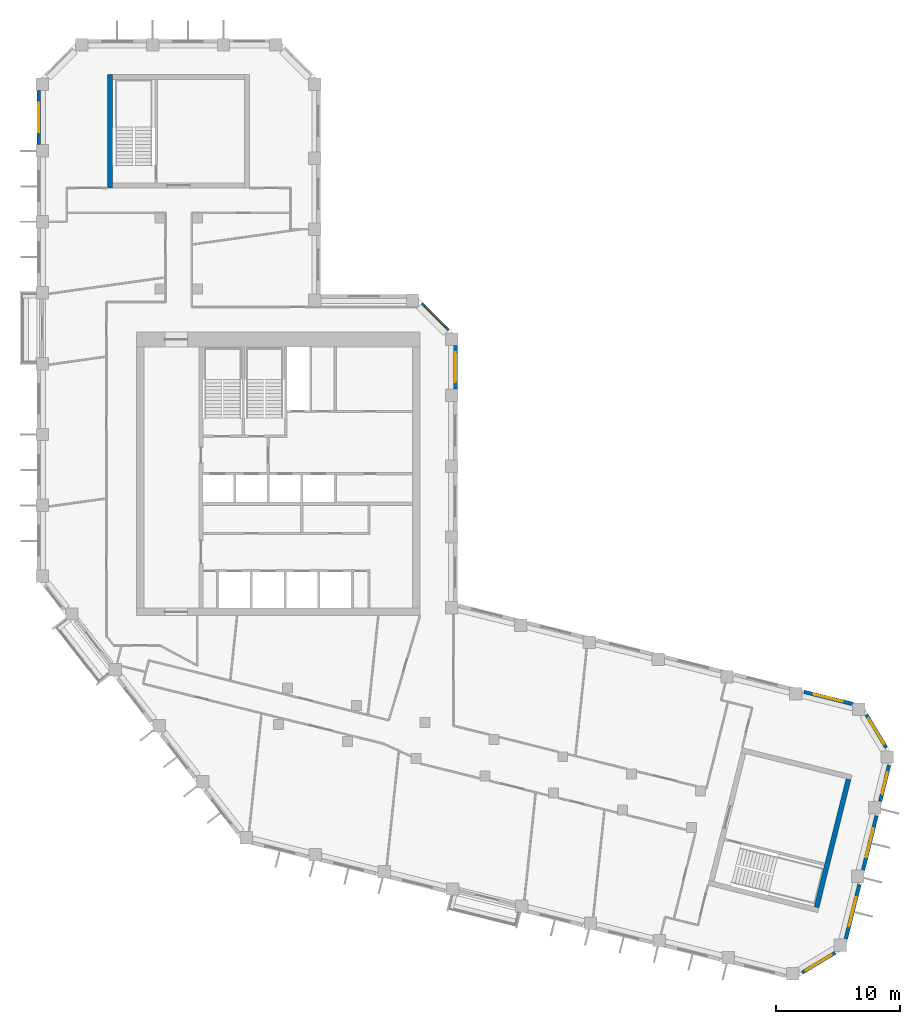
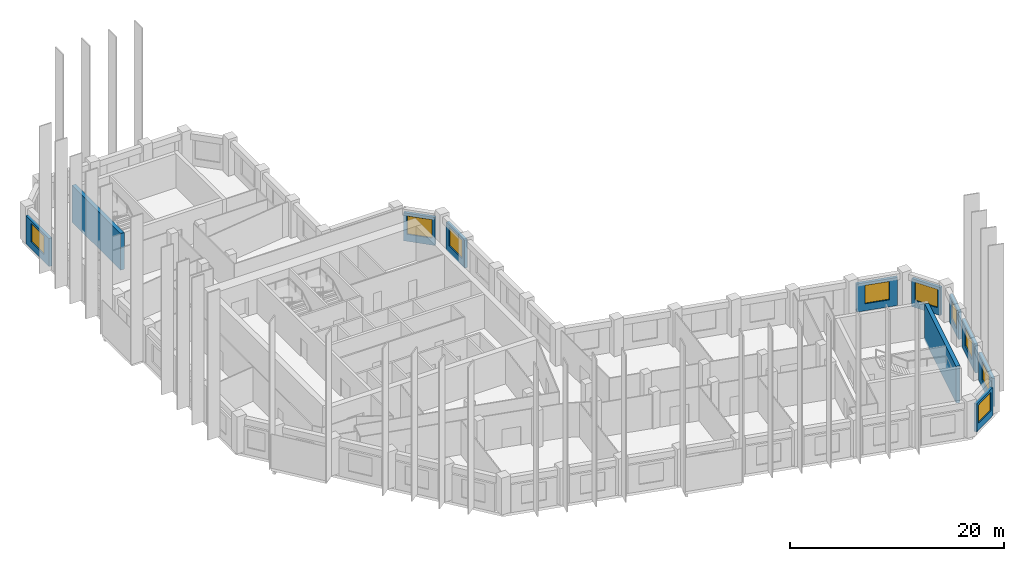
# One storey, part 7 of 9: 11 walls, 9 windows, 9 openings.
"""IFC4 building model written with IfcOpenShell, lengths in metres."""

from ifc_helpers import new_model, si_unit, direction, frame, frame_2d, origin, place, context, subcontext, project, spatial, rectangle, extrude, material, layer, layer_set, type_object, element, fill, save


model = new_model("IFC4")

# Units and contexts
model_context = context("Model", 3, precision=1e-05, world=origin(), true_north=direction((0.0, 1.0)))
body_context = subcontext(model_context, "Body", "Model", "MODEL_VIEW")
ifc_project = project(units=[si_unit("LENGTHUNIT", "METRE"), si_unit("AREAUNIT", "SQUARE_METRE"), si_unit("VOLUMEUNIT", "CUBIC_METRE"), si_unit("PLANEANGLEUNIT", "RADIAN"), si_unit("MASSUNIT", "GRAM", prefix="KILO")], contexts=[model_context])

# Site, building, storey
site_placement = place(None, origin())
site = spatial("IfcSite", under=ifc_project, at=site_placement, CompositionType="ELEMENT")
building_placement = place(site_placement, origin())
building = spatial("IfcBuilding", under=site, at=building_placement, Name="Meshkara Civic Tower", CompositionType="ELEMENT")
storey_placement = place(building_placement, frame((0.0, 0.0, 323.39990234375)))
storey = spatial("IfcBuildingStorey", under=building, at=storey_placement, Name="L74", CompositionType="ELEMENT", Elevation=323.39990234375)

# Wall, opening, window
ifc_material_1 = material(Name="Insulated infill panel with bronze anodised aluminium cladding", Category="aluminium")
ifc_layer_1 = layer(ifc_material_1, 0.300048828125)
ifc_layer_set_1 = layer_set([ifc_layer_1], Name="EXTERNAL INFILL WALL 300")
wall_type_1 = type_object("IfcWallType", Name="EXTERNAL INFILL WALL 300", PredefinedType="SOLIDWALL", material=ifc_layer_set_1)
wall_1_placement = place(storey_placement, frame((65.548095703125, 7.0, 0.0), z_axis=(0.0, 0.0, 1.0), x_axis=(-0.970260773365, 0.242062040951, 0.0)))
wall_1 = element("IfcWall", 1, at=wall_1_placement, inside=storey, type_object=wall_type_1, Name="External wall", PredefinedType="SOLIDWALL", context=body_context, shape_type="SweptSolid", body=[
    extrude(rectangle(XDim=4.003173828125, YDim=0.300048828125, at=frame_2d((2.00146484375, 0.0))), origin(), (0.0, 0.0, 1.0), 3.2001953125),
])
opening_1_placement = place(wall_1_placement, frame((0.801025390625, 0.0, 0.800048828125)))
opening_1 = element("IfcOpeningElement", 2, at=opening_1_placement, cuts=wall_1, Name="Opening W7", PredefinedType="OPENING", context=body_context, shape_type="SweptSolid", body=[
    extrude(rectangle(XDim=2.39990234375, YDim=2.10009765625, at=frame_2d((1.199951171875, 1.050048828125))), frame((0.0, 0.159912109375, 0.0), z_axis=(0.0, -1.0, 0.0), x_axis=(1.0, 0.0, 0.0)), (0.0, 0.0, 1.0), 0.320068359375),
])
ifc_material_2 = material(Name="Tinted double glazing", Category="glass")
window_type_1 = type_object("IfcWindowType", Name="WINDOW 2400x2100", PartitioningType="DOUBLE_PANEL_VERTICAL", PredefinedType="WINDOW", material=ifc_material_2)
window_1_placement = place(opening_1_placement, origin())
window_1 = element("IfcWindow", 3, at=window_1_placement, inside=storey, type_object=window_type_1, Name="Window", OverallHeight=2.10009765625, OverallWidth=2.39990234375, PartitioningType="DOUBLE_PANEL_VERTICAL", PredefinedType="WINDOW", context=body_context, shape_type="SweptSolid", body=[
    extrude(rectangle(XDim=2.39990234375, YDim=2.10009765625, at=frame_2d((1.199951171875, 1.050048828125))), frame((0.0, 0.030029296875, 0.0), z_axis=(0.0, -1.0, 0.0), x_axis=(1.0, 0.0, 0.0)), (0.0, 0.0, 1.0), 0.06005859375),
])
fill(opening_1, window_1)

wall_2_placement = place(storey_placement, frame((33.64990234375, 32.319091796875, 0.0), z_axis=(0.0, 0.0, 1.0), x_axis=(0.0, 1.0, 0.0)))
wall_2 = element("IfcWall", 4, at=wall_2_placement, inside=storey, type_object=wall_type_1, Name="External wall", PredefinedType="SOLIDWALL", context=body_context, shape_type="SweptSolid", body=[
    extrude(rectangle(XDim=3.474853515625, YDim=0.300048828125, at=frame_2d((1.7373046875, 0.0))), origin(), (0.0, 0.0, 1.0), 3.2001953125),
])
opening_2_placement = place(wall_2_placement, frame((0.5380859375, 0.0, 0.800048828125)))
opening_2 = element("IfcOpeningElement", 5, at=opening_2_placement, cuts=wall_2, Name="Opening W7", PredefinedType="OPENING", context=body_context, shape_type="SweptSolid", body=[
    extrude(rectangle(XDim=2.39990234375, YDim=2.10009765625, at=frame_2d((1.199951171875, 1.050048828125))), frame((0.0, 0.159912109375, 0.0), z_axis=(0.0, -1.0, 0.0), x_axis=(1.0, 0.0, 0.0)), (0.0, 0.0, 1.0), 0.320068359375),
])
window_2_placement = place(opening_2_placement, origin())
window_2 = element("IfcWindow", 6, at=window_2_placement, inside=storey, type_object=window_type_1, Name="Window", OverallHeight=2.10009765625, OverallWidth=2.39990234375, PartitioningType="DOUBLE_PANEL_VERTICAL", PredefinedType="WINDOW", context=body_context, shape_type="SweptSolid", body=[
    extrude(rectangle(XDim=2.39990234375, YDim=2.10009765625, at=frame_2d((1.199951171875, 1.050048828125))), frame((0.0, 0.030029296875, 0.0), z_axis=(0.0, -1.0, 0.0), x_axis=(1.0, 0.0, 0.0)), (0.0, 0.0, 1.0), 0.06005859375),
])
fill(opening_2, window_2)

wall_3_placement = place(storey_placement, frame((33.06201171875, 37.006103515625, 0.0), z_axis=(0.0, 0.0, 1.0), x_axis=(-0.707106781187, 0.707106781187, 0.0)))
wall_3 = element("IfcWall", 7, at=wall_3_placement, inside=storey, type_object=wall_type_1, Name="External wall", PredefinedType="SOLIDWALL", context=body_context, shape_type="SweptSolid", body=[
    extrude(rectangle(XDim=3.049072265625, YDim=0.300048828125, at=frame_2d((1.5244140625, 0.0))), origin(), (0.0, 0.0, 1.0), 3.2001953125),
])
opening_3_placement = place(wall_3_placement, frame((0.324951171875, 0.0, 0.800048828125)))
opening_3 = element("IfcOpeningElement", 8, at=opening_3_placement, cuts=wall_3, Name="Opening W7", PredefinedType="OPENING", context=body_context, shape_type="SweptSolid", body=[
    extrude(rectangle(XDim=2.39990234375, YDim=2.10009765625, at=frame_2d((1.199951171875, 1.050048828125))), frame((0.0, 0.159912109375, 0.0), z_axis=(0.0, -1.0, 0.0), x_axis=(1.0, 0.0, 0.0)), (0.0, 0.0, 1.0), 0.320068359375),
])
window_3_placement = place(opening_3_placement, origin())
window_3 = element("IfcWindow", 9, at=window_3_placement, inside=storey, type_object=window_type_1, Name="Window", OverallHeight=2.10009765625, OverallWidth=2.39990234375, PartitioningType="DOUBLE_PANEL_VERTICAL", PredefinedType="WINDOW", context=body_context, shape_type="SweptSolid", body=[
    extrude(rectangle(XDim=2.39990234375, YDim=2.10009765625, at=frame_2d((1.199951171875, 1.050048828125))), frame((0.0, 0.030029296875, 0.0), z_axis=(0.0, -1.0, 0.0), x_axis=(1.0, 0.0, 0.0)), (0.0, 0.0, 1.0), 0.06005859375),
])
fill(opening_3, window_3)

wall_4_placement = place(storey_placement, frame((0.14990234375, 56.31396484375, 0.0), z_axis=(0.0, 0.0, 1.0), x_axis=(0.0, -1.0, 0.0)))
wall_4 = element("IfcWall", 10, at=wall_4_placement, inside=storey, type_object=wall_type_1, Name="External wall", PredefinedType="SOLIDWALL", context=body_context, shape_type="SweptSolid", body=[
    extrude(rectangle(XDim=4.35888671875, YDim=0.300048828125, at=frame_2d((2.179443359375, 0.0))), origin(), (0.0, 0.0, 1.0), 3.2001953125),
])
opening_4_placement = place(wall_4_placement, frame((0.97998046875, 0.0, 0.800048828125)))
opening_4 = element("IfcOpeningElement", 11, at=opening_4_placement, cuts=wall_4, Name="Opening W7", PredefinedType="OPENING", context=body_context, shape_type="SweptSolid", body=[
    extrude(rectangle(XDim=2.39990234375, YDim=2.10009765625, at=frame_2d((1.199951171875, 1.050048828125))), frame((0.0, 0.159912109375, 0.0), z_axis=(0.0, -1.0, 0.0), x_axis=(1.0, 0.0, 0.0)), (0.0, 0.0, 1.0), 0.320068359375),
])
window_4_placement = place(opening_4_placement, origin())
window_4 = element("IfcWindow", 12, at=window_4_placement, inside=storey, type_object=window_type_1, Name="Window", OverallHeight=2.10009765625, OverallWidth=2.39990234375, PartitioningType="DOUBLE_PANEL_VERTICAL", PredefinedType="WINDOW", context=body_context, shape_type="SweptSolid", body=[
    extrude(rectangle(XDim=2.39990234375, YDim=2.10009765625, at=frame_2d((1.199951171875, 1.050048828125))), frame((0.0, 0.030029296875, 0.0), z_axis=(0.0, -1.0, 0.0), x_axis=(1.0, 0.0, 0.0)), (0.0, 0.0, 1.0), 0.06005859375),
])
fill(opening_4, window_4)

wall_5_placement = place(storey_placement, frame((61.509033203125, -14.591064453125, 0.0), z_axis=(0.0, 0.0, 1.0), x_axis=(0.856969799001, 0.515366630275, 0.0)))
wall_5 = element("IfcWall", 13, at=wall_5_placement, inside=storey, type_object=wall_type_1, Name="External wall", PredefinedType="SOLIDWALL", context=body_context, shape_type="SweptSolid", body=[
    extrude(rectangle(XDim=3.091064453125, YDim=0.300048828125, at=frame_2d((1.54541015625, 0.0))), origin(), (0.0, 0.0, 1.0), 3.2001953125),
])
opening_5_placement = place(wall_5_placement, frame((0.344970703125, 0.0, 0.800048828125)))
opening_5 = element("IfcOpeningElement", 14, at=opening_5_placement, cuts=wall_5, Name="Opening W7", PredefinedType="OPENING", context=body_context, shape_type="SweptSolid", body=[
    extrude(rectangle(XDim=2.39990234375, YDim=2.10009765625, at=frame_2d((1.199951171875, 1.050048828125))), frame((0.0, 0.159912109375, 0.0), z_axis=(0.0, -1.0, 0.0), x_axis=(1.0, 0.0, 0.0)), (0.0, 0.0, 1.0), 0.320068359375),
])
window_5_placement = place(opening_5_placement, origin())
window_5 = element("IfcWindow", 15, at=window_5_placement, inside=storey, type_object=window_type_1, Name="Window", OverallHeight=2.10009765625, OverallWidth=2.39990234375, PartitioningType="DOUBLE_PANEL_VERTICAL", PredefinedType="WINDOW", context=body_context, shape_type="SweptSolid", body=[
    extrude(rectangle(XDim=2.39990234375, YDim=2.10009765625, at=frame_2d((1.199951171875, 1.050048828125))), frame((0.0, 0.030029296875, 0.0), z_axis=(0.0, -1.0, 0.0), x_axis=(1.0, 0.0, 0.0)), (0.0, 0.0, 1.0), 0.06005859375),
])
fill(opening_5, window_5)

wall_6_placement = place(storey_placement, frame((65.029052734375, -11.8720703125, 0.0), z_axis=(0.0, 0.0, 1.0), x_axis=(0.241946839653, 0.970289506684, 0.0)))
wall_6 = element("IfcWall", 16, at=wall_6_placement, inside=storey, type_object=wall_type_1, Name="External wall", PredefinedType="SOLIDWALL", context=body_context, shape_type="SweptSolid", body=[
    extrude(rectangle(XDim=4.48828125, YDim=0.300048828125, at=frame_2d((2.244140625, 0.0))), origin(), (0.0, 0.0, 1.0), 3.2001953125),
])
opening_6_placement = place(wall_6_placement, frame((1.0439453125, 0.0, 0.800048828125)))
opening_6 = element("IfcOpeningElement", 17, at=opening_6_placement, cuts=wall_6, Name="Opening W7", PredefinedType="OPENING", context=body_context, shape_type="SweptSolid", body=[
    extrude(rectangle(XDim=2.39990234375, YDim=2.10009765625, at=frame_2d((1.199951171875, 1.050048828125))), frame((0.0, 0.159912109375, 0.0), z_axis=(0.0, -1.0, 0.0), x_axis=(1.0, 0.0, 0.0)), (0.0, 0.0, 1.0), 0.320068359375),
])
window_6_placement = place(opening_6_placement, origin())
window_6 = element("IfcWindow", 18, at=window_6_placement, inside=storey, type_object=window_type_1, Name="Window", OverallHeight=2.10009765625, OverallWidth=2.39990234375, PartitioningType="DOUBLE_PANEL_VERTICAL", PredefinedType="WINDOW", context=body_context, shape_type="SweptSolid", body=[
    extrude(rectangle(XDim=2.39990234375, YDim=2.10009765625, at=frame_2d((1.199951171875, 1.050048828125))), frame((0.0, 0.030029296875, 0.0), z_axis=(0.0, -1.0, 0.0), x_axis=(1.0, 0.0, 0.0)), (0.0, 0.0, 1.0), 0.06005859375),
])
fill(opening_6, window_6)

wall_7_placement = place(storey_placement, frame((66.407958984375, -6.341064453125, 0.0), z_axis=(0.0, 0.0, 1.0), x_axis=(0.241997928406, 0.970276766004, 0.0)))
wall_7 = element("IfcWall", 19, at=wall_7_placement, inside=storey, type_object=wall_type_1, Name="External wall", PredefinedType="SOLIDWALL", context=body_context, shape_type="SweptSolid", body=[
    extrude(rectangle(XDim=4.4873046875, YDim=0.300048828125, at=frame_2d((2.24365234375, 0.0))), origin(), (0.0, 0.0, 1.0), 3.2001953125),
])
opening_7_placement = place(wall_7_placement, frame((1.0439453125, 0.0, 0.800048828125)))
opening_7 = element("IfcOpeningElement", 20, at=opening_7_placement, cuts=wall_7, Name="Opening W7", PredefinedType="OPENING", context=body_context, shape_type="SweptSolid", body=[
    extrude(rectangle(XDim=2.39990234375, YDim=2.10009765625, at=frame_2d((1.199951171875, 1.050048828125))), frame((0.0, 0.159912109375, 0.0), z_axis=(0.0, -1.0, 0.0), x_axis=(1.0, 0.0, 0.0)), (0.0, 0.0, 1.0), 0.320068359375),
])
window_7_placement = place(opening_7_placement, origin())
window_7 = element("IfcWindow", 21, at=window_7_placement, inside=storey, type_object=window_type_1, Name="Window", OverallHeight=2.10009765625, OverallWidth=2.39990234375, PartitioningType="DOUBLE_PANEL_VERTICAL", PredefinedType="WINDOW", context=body_context, shape_type="SweptSolid", body=[
    extrude(rectangle(XDim=2.39990234375, YDim=2.10009765625, at=frame_2d((1.199951171875, 1.050048828125))), frame((0.0, 0.030029296875, 0.0), z_axis=(0.0, -1.0, 0.0), x_axis=(1.0, 0.0, 0.0)), (0.0, 0.0, 1.0), 0.06005859375),
])
fill(opening_7, window_7)

wall_8_placement = place(storey_placement, frame((67.787109375, -0.81103515625, 0.0), z_axis=(0.0, 0.0, 1.0), x_axis=(0.242052773757, 0.970263085311, 0.0)))
wall_8 = element("IfcWall", 22, at=wall_8_placement, inside=storey, type_object=wall_type_1, Name="External wall", PredefinedType="SOLIDWALL", context=body_context, shape_type="SweptSolid", body=[
    extrude(rectangle(XDim=2.974365234375, YDim=0.300048828125, at=frame_2d((1.4873046875, 0.0))), origin(), (0.0, 0.0, 1.0), 3.2001953125),
])
opening_8_placement = place(wall_8_placement, frame((0.5869140625, 0.0, 0.800048828125)))
opening_8 = element("IfcOpeningElement", 23, at=opening_8_placement, cuts=wall_8, Name="Opening W9", PredefinedType="OPENING", context=body_context, shape_type="SweptSolid", body=[
    extrude(rectangle(XDim=1.800048828125, YDim=2.10009765625, at=frame_2d((0.89990234375, 1.050048828125))), frame((0.0, 0.159912109375, 0.0), z_axis=(0.0, -1.0, 0.0), x_axis=(1.0, 0.0, 0.0)), (0.0, 0.0, 1.0), 0.320068359375),
])
ifc_material_3 = material(Name="Tinted double glazing", Category="glass")
window_type_2 = type_object("IfcWindowType", Name="WINDOW 1800x2100", PartitioningType="DOUBLE_PANEL_VERTICAL", PredefinedType="WINDOW", material=ifc_material_3)
window_8_placement = place(opening_8_placement, origin())
window_8 = element("IfcWindow", 24, at=window_8_placement, inside=storey, type_object=window_type_2, Name="Window", OverallHeight=2.10009765625, OverallWidth=1.800048828125, PartitioningType="DOUBLE_PANEL_VERTICAL", PredefinedType="WINDOW", context=body_context, shape_type="SweptSolid", body=[
    extrude(rectangle(XDim=1.800048828125, YDim=2.10009765625, at=frame_2d((0.89990234375, 1.050048828125))), frame((0.0, 0.030029296875, 0.0), z_axis=(0.0, -1.0, 0.0), x_axis=(1.0, 0.0, 0.0)), (0.0, 0.0, 1.0), 0.06005859375),
])
fill(opening_8, window_8)

wall_9_placement = place(storey_placement, frame((68.26611328125, 3.47900390625, 0.0), z_axis=(0.0, 0.0, 1.0), x_axis=(-0.514995068029, 0.857193140375, 0.0)))
wall_9 = element("IfcWall", 25, at=wall_9_placement, inside=storey, type_object=wall_type_1, Name="External wall", PredefinedType="SOLIDWALL", context=body_context, shape_type="SweptSolid", body=[
    extrude(rectangle(XDim=3.09130859375, YDim=0.300048828125, at=frame_2d((1.545654296875, 0.0))), origin(), (0.0, 0.0, 1.0), 3.2001953125),
])
opening_9_placement = place(wall_9_placement, frame((0.345947265625, 0.0, 0.800048828125)))
opening_9 = element("IfcOpeningElement", 26, at=opening_9_placement, cuts=wall_9, Name="Opening W7", PredefinedType="OPENING", context=body_context, shape_type="SweptSolid", body=[
    extrude(rectangle(XDim=2.39990234375, YDim=2.10009765625, at=frame_2d((1.199951171875, 1.050048828125))), frame((0.0, 0.159912109375, 0.0), z_axis=(0.0, -1.0, 0.0), x_axis=(1.0, 0.0, 0.0)), (0.0, 0.0, 1.0), 0.320068359375),
])
window_9_placement = place(opening_9_placement, origin())
window_9 = element("IfcWindow", 27, at=window_9_placement, inside=storey, type_object=window_type_1, Name="Window", OverallHeight=2.10009765625, OverallWidth=2.39990234375, PartitioningType="DOUBLE_PANEL_VERTICAL", PredefinedType="WINDOW", context=body_context, shape_type="SweptSolid", body=[
    extrude(rectangle(XDim=2.39990234375, YDim=2.10009765625, at=frame_2d((1.199951171875, 1.050048828125))), frame((0.0, 0.030029296875, 0.0), z_axis=(0.0, -1.0, 0.0), x_axis=(1.0, 0.0, 0.0)), (0.0, 0.0, 1.0), 0.06005859375),
])
fill(opening_9, window_9)

# Walls
ifc_material_4 = material(Name="Concrete C60", Category="concrete")
ifc_layer_2 = layer(ifc_material_4, 0.39990234375)
ifc_layer_set_2 = layer_set([ifc_layer_2], Name="End core ring wall 400 C60")
wall_type_2 = type_object("IfcWallType", Name="End core ring wall 400 C60", PredefinedType="SHEAR", material=ifc_layer_set_2)
wall_10_placement = place(storey_placement, frame((5.89990234375, 48.469970703125, -0.2998046875), z_axis=(0.0, 0.0, 1.0), x_axis=(0.0, 1.0, 0.0)))
element("IfcWall", 28, at=wall_10_placement, inside=storey, type_object=wall_type_2, Name="L74-C027", PredefinedType="SHEAR", context=body_context, shape_type="SweptSolid", body=[
    extrude(rectangle(XDim=9.10009765625, YDim=0.39990234375, at=frame_2d((4.550048828125, 0.0))), origin(), (0.0, 0.0, 1.0), 4.199951171875),
])
wall_11_placement = place(storey_placement, frame((62.672119140625, -9.339111328125, -0.2998046875), z_axis=(0.0, 0.0, 1.0), x_axis=(0.241971982666, 0.970283236795, 0.0)))
element("IfcWall", 29, at=wall_11_placement, inside=storey, type_object=wall_type_2, Name="L74-C035", PredefinedType="SHEAR", context=body_context, shape_type="SweptSolid", body=[
    extrude(rectangle(XDim=10.60009765625, YDim=0.39990234375, at=frame_2d((5.300048828125, 0.0))), origin(), (0.0, 0.0, 1.0), 4.199951171875),
])

save(model, "model.ifc")
